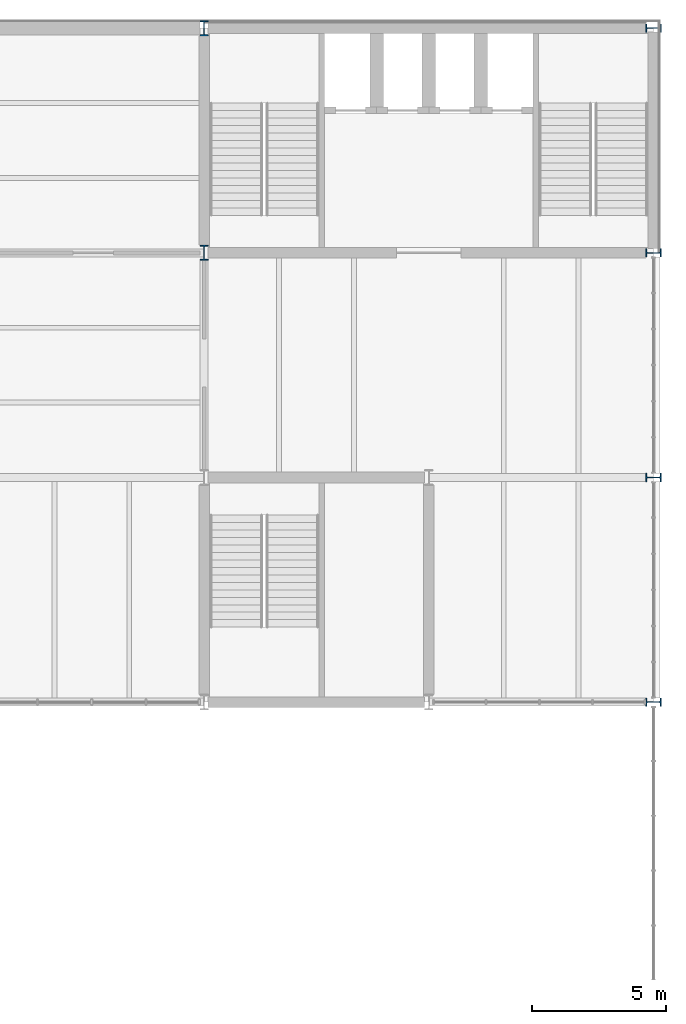
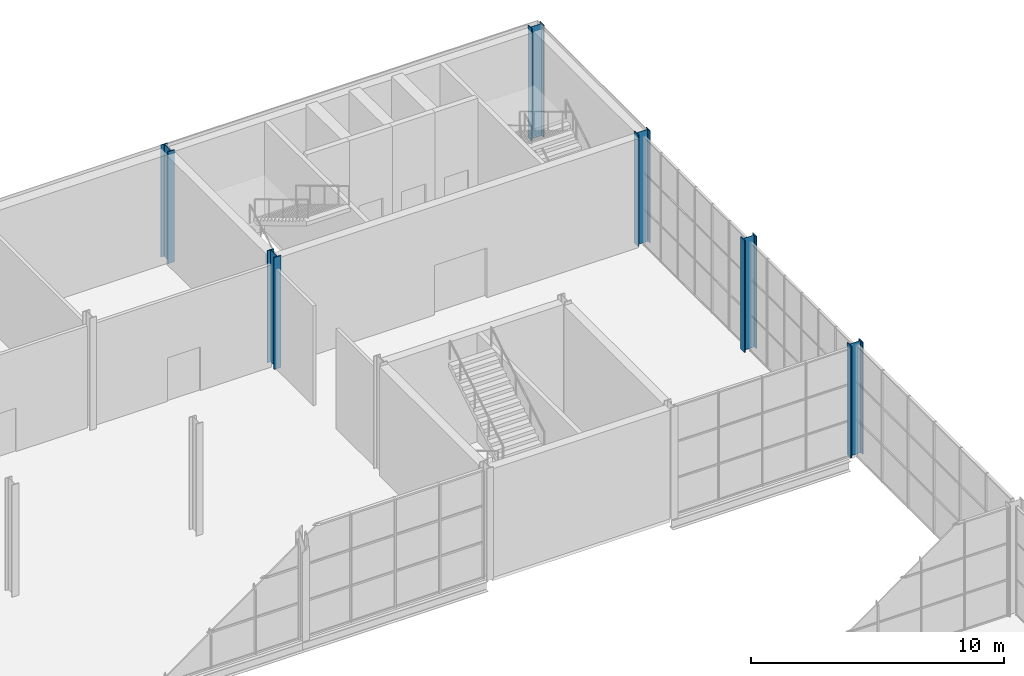
# One storey, part 8 of 64: 6 columns.
"""IFC4 building model written with IfcOpenShell, lengths in metres."""

from ifc_helpers import new_model, si_unit, direction, frame, origin, origin_2d, place, context, subcontext, project, spatial, i_section, extrude, material, material_profile, profile_set, type_object, element, save


model = new_model("IFC4")

# Units and contexts
model_context = context("Model", 3, precision=1e-05, world=origin(), true_north=direction((0.0, 1.0)))
body_context = subcontext(model_context, "Body", "Model", "MODEL_VIEW")
ifc_project = project(units=[si_unit("LENGTHUNIT", "METRE"), si_unit("AREAUNIT", "SQUARE_METRE"), si_unit("VOLUMEUNIT", "CUBIC_METRE"), si_unit("PLANEANGLEUNIT", "RADIAN"), si_unit("MASSUNIT", "GRAM", prefix="KILO")], contexts=[model_context])

# Site, building, storey
site_placement = place(None, origin())
site = spatial("IfcSite", under=ifc_project, at=site_placement, CompositionType="ELEMENT")
building_placement = place(site_placement, origin())
building = spatial("IfcBuilding", under=site, at=building_placement, Name="Galleria Vessillo Department Store", CompositionType="ELEMENT")
storey_placement = place(building_placement, frame((0.0, 0.0, 6.0)))
storey = spatial("IfcBuildingStorey", under=building, at=storey_placement, Name="L01", CompositionType="ELEMENT", Elevation=6.0)

# Columns
ifc_material = material(Name="Steel S355 J2", Category="steel")
ifc_material_profile = material_profile(ifc_material, i_section(OverallWidth=0.305908203125, OverallDepth=0.572021484375, WebThickness=0.02099609375, FlangeThickness=0.0400390625, FilletRadius=0.027099609375, at=origin_2d()), Name="HEM 550")
ifc_profile_set = profile_set([ifc_material_profile], Name="Steel S355 J2")
column_type = type_object("IfcColumnType", Name="Steel column HEM 550 CT1", PredefinedType="COLUMN", material=ifc_profile_set)
for number, where, z_axis, x_axis, name in (
    (1, (100.800048828125, 54.60009765625, 0.0), (0.0, 0.0, 1.0), (1.0, 0.0, 0.0), "S-COL-L01-13-G"),
    (2, (100.800048828125, 63.0, 0.0), (0.0, 0.0, 1.0), (1.0, 0.0, 0.0), "S-COL-L01-13-H"),
    (3, (117.60009765625, 37.800048828125, 0.0), (0.0, 0.0, 1.0), (0.0, 1.0, 0.0), "S-COL-L01-15-E"),
    (4, (117.60009765625, 46.199951171875, 0.0), (0.0, 0.0, 1.0), (0.0, 1.0, 0.0), "S-COL-L01-15-F"),
    (5, (117.60009765625, 54.60009765625, 0.0), (0.0, 0.0, 1.0), (0.0, 1.0, 0.0), "S-COL-L01-15-G"),
    (6, (117.60009765625, 63.0, 0.0), (0.0, 0.0, 1.0), (0.0, 1.0, 0.0), "S-COL-L01-15-H"),
):
    element("IfcColumn", number, at=place(storey_placement, frame(where, z_axis=z_axis, x_axis=x_axis)), inside=storey, type_object=column_type, Name=name, PredefinedType="COLUMN", context=body_context, shape_type="SweptSolid", body=[
        extrude(i_section(OverallWidth=0.305908203125, OverallDepth=0.572021484375, WebThickness=0.02099609375, FlangeThickness=0.0400390625, FilletRadius=0.027099609375, at=origin_2d()), origin(), (0.0, 0.0, 1.0), 5.39990234375),
    ])

save(model, "model.ifc")
